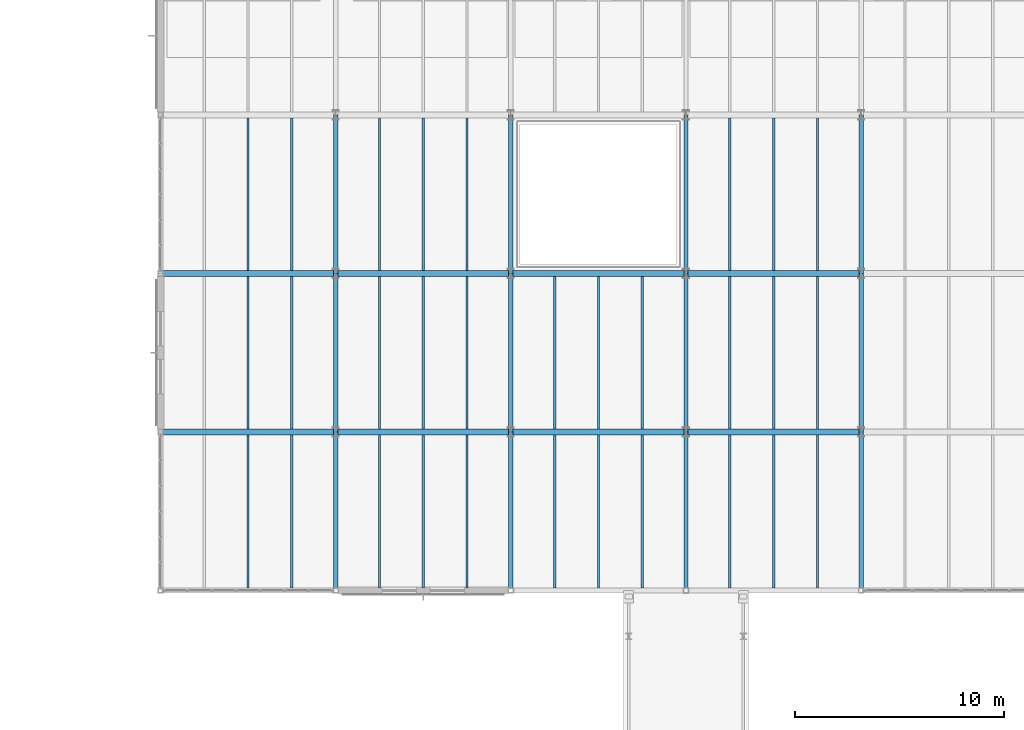
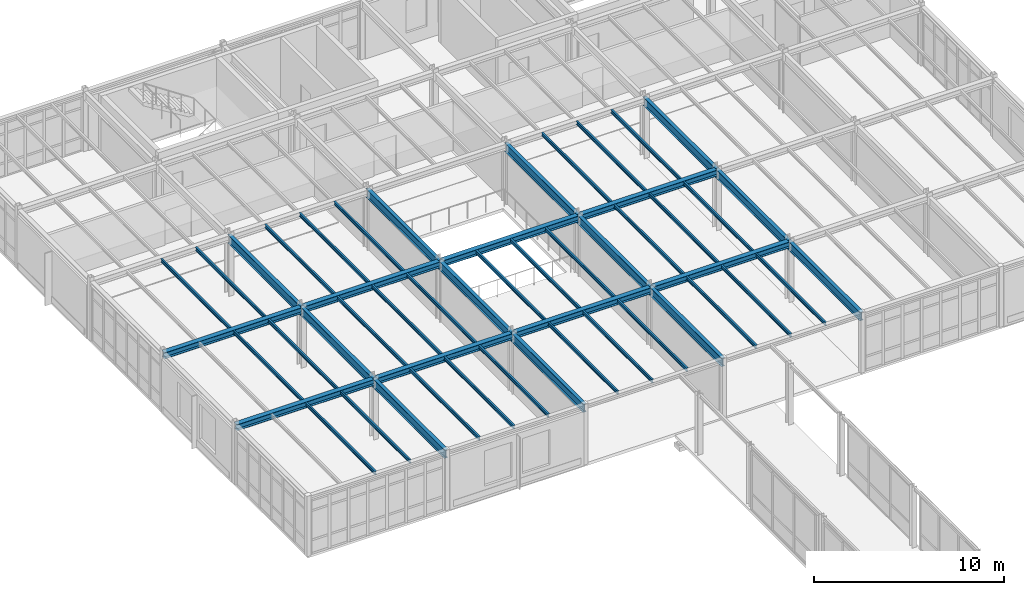
# One storey, part 93 of 189: 50 beams.
"""IFC4 building model written with IfcOpenShell, lengths in metres."""

from ifc_helpers import new_model, si_unit, direction, frame, origin, origin_2d, place, context, subcontext, project, spatial, i_section, extrude, material, material_profile, profile_set, type_object, element, save


model = new_model("IFC4")

# Units and contexts
model_context = context("Model", 3, precision=1e-05, world=origin(), true_north=direction((0.0, 1.0)))
body_context = subcontext(model_context, "Body", "Model", "MODEL_VIEW")
ifc_project = project(units=[si_unit("LENGTHUNIT", "METRE"), si_unit("AREAUNIT", "SQUARE_METRE"), si_unit("VOLUMEUNIT", "CUBIC_METRE"), si_unit("PLANEANGLEUNIT", "RADIAN"), si_unit("MASSUNIT", "GRAM", prefix="KILO")], contexts=[model_context])

# Site, building, storey
site_placement = place(None, origin())
site = spatial("IfcSite", under=ifc_project, at=site_placement, CompositionType="ELEMENT")
building_placement = place(site_placement, origin())
building = spatial("IfcBuilding", under=site, at=building_placement, Name="Montecoro Central Library", CompositionType="ELEMENT")
storey_placement = place(building_placement, frame((0.0, 0.0, 9.179931640625)))
storey = spatial("IfcBuildingStorey", under=building, at=storey_placement, Name="L02", CompositionType="ELEMENT", Elevation=9.179931640625)

# Beams
ifc_material_1 = material(Name="Steel S355", Category="steel")
ifc_material_profile_1 = material_profile(ifc_material_1, i_section(OverallWidth=0.300048828125, OverallDepth=0.389892578125, WebThickness=0.010986328125, FlangeThickness=0.01904296875, at=origin_2d()), Name="HEA 400")
ifc_profile_set_1 = profile_set([ifc_material_profile_1], Name="Steel S355")
beam_type_1 = type_object("IfcBeamType", Name="BM-G-HEA400", PredefinedType="USERDEFINED", material=ifc_profile_set_1)
beam_1_placement = place(storey_placement, frame((66.405029296875, 88.60009765625, 3.630126953125), z_axis=(1.0, 0.0, 0.0), x_axis=(0.0, 1.0, 0.0)))
element("IfcBeam", 1, at=beam_1_placement, inside=storey, type_object=beam_type_1, Name="V2-L02-BX-910-M", ObjectType="GIRDER", PredefinedType="USERDEFINED", context=body_context, shape_type="SweptSolid", body=[
    extrude(i_section(OverallWidth=0.300048828125, OverallDepth=0.389892578125, WebThickness=0.010986328125, FlangeThickness=0.01904296875, at=origin_2d()), origin(), (0.0, 0.0, 1.0), 8.389892578125),
])
beam_2_placement = place(storey_placement, frame((74.804931640625, 88.60009765625, 3.630126953125), z_axis=(1.0, 0.0, 0.0), x_axis=(0.0, 1.0, 0.0)))
element("IfcBeam", 2, at=beam_2_placement, inside=storey, type_object=beam_type_1, Name="V2-L02-BX-1011-M", ObjectType="GIRDER", PredefinedType="USERDEFINED", context=body_context, shape_type="SweptSolid", body=[
    extrude(i_section(OverallWidth=0.300048828125, OverallDepth=0.389892578125, WebThickness=0.010986328125, FlangeThickness=0.01904296875, at=origin_2d()), origin(), (0.0, 0.0, 1.0), 8.39013671875),
])
beam_3_placement = place(storey_placement, frame((83.205078125, 88.60009765625, 3.630126953125), z_axis=(1.0, 0.0, 0.0), x_axis=(0.0, 1.0, 0.0)))
element("IfcBeam", 3, at=beam_3_placement, inside=storey, type_object=beam_type_1, Name="V2-L02-BX-1112-M", ObjectType="GIRDER", PredefinedType="USERDEFINED", context=body_context, shape_type="SweptSolid", body=[
    extrude(i_section(OverallWidth=0.300048828125, OverallDepth=0.389892578125, WebThickness=0.010986328125, FlangeThickness=0.01904296875, at=origin_2d()), origin(), (0.0, 0.0, 1.0), 8.389892578125),
])
beam_4_placement = place(storey_placement, frame((91.60498046875, 88.60009765625, 3.630126953125), z_axis=(1.0, 0.0, 0.0), x_axis=(0.0, 1.0, 0.0)))
element("IfcBeam", 4, at=beam_4_placement, inside=storey, type_object=beam_type_1, Name="V2-L02-BX-1213-M", ObjectType="GIRDER", PredefinedType="USERDEFINED", context=body_context, shape_type="SweptSolid", body=[
    extrude(i_section(OverallWidth=0.300048828125, OverallDepth=0.389892578125, WebThickness=0.010986328125, FlangeThickness=0.01904296875, at=origin_2d()), origin(), (0.0, 0.0, 1.0), 8.39013671875),
])
beam_5_placement = place(storey_placement, frame((66.405029296875, 96.199951171875, 3.630126953125), z_axis=(1.0, 0.0, 0.0), x_axis=(0.0, 1.0, 0.0)))
element("IfcBeam", 5, at=beam_5_placement, inside=storey, type_object=beam_type_1, Name="V2-L02-BX-910-N", ObjectType="GIRDER", PredefinedType="USERDEFINED", context=body_context, shape_type="SweptSolid", body=[
    extrude(i_section(OverallWidth=0.300048828125, OverallDepth=0.389892578125, WebThickness=0.010986328125, FlangeThickness=0.01904296875, at=origin_2d()), origin(), (0.0, 0.0, 1.0), 8.389892578125),
])
beam_6_placement = place(storey_placement, frame((74.804931640625, 96.199951171875, 3.630126953125), z_axis=(1.0, 0.0, 0.0), x_axis=(0.0, 1.0, 0.0)))
element("IfcBeam", 6, at=beam_6_placement, inside=storey, type_object=beam_type_1, Name="V2-L02-BX-1011-N", ObjectType="GIRDER", PredefinedType="USERDEFINED", context=body_context, shape_type="SweptSolid", body=[
    extrude(i_section(OverallWidth=0.300048828125, OverallDepth=0.389892578125, WebThickness=0.010986328125, FlangeThickness=0.01904296875, at=origin_2d()), origin(), (0.0, 0.0, 1.0), 8.39013671875),
])
beam_7_placement = place(storey_placement, frame((83.205078125, 96.199951171875, 3.630126953125), z_axis=(1.0, 0.0, 0.0), x_axis=(0.0, 1.0, 0.0)))
element("IfcBeam", 7, at=beam_7_placement, inside=storey, type_object=beam_type_1, Name="V2-L02-BX-1112-N", ObjectType="GIRDER", PredefinedType="USERDEFINED", context=body_context, shape_type="SweptSolid", body=[
    extrude(i_section(OverallWidth=0.300048828125, OverallDepth=0.389892578125, WebThickness=0.010986328125, FlangeThickness=0.01904296875, at=origin_2d()), origin(), (0.0, 0.0, 1.0), 8.389892578125),
])
beam_8_placement = place(storey_placement, frame((91.60498046875, 96.199951171875, 3.630126953125), z_axis=(1.0, 0.0, 0.0), x_axis=(0.0, 1.0, 0.0)))
element("IfcBeam", 8, at=beam_8_placement, inside=storey, type_object=beam_type_1, Name="V2-L02-BX-1213-N", ObjectType="GIRDER", PredefinedType="USERDEFINED", context=body_context, shape_type="SweptSolid", body=[
    extrude(i_section(OverallWidth=0.300048828125, OverallDepth=0.389892578125, WebThickness=0.010986328125, FlangeThickness=0.01904296875, at=origin_2d()), origin(), (0.0, 0.0, 1.0), 8.39013671875),
])
ifc_material_2 = material(Name="Steel S355J2", Category="steel")
ifc_material_profile_2 = material_profile(ifc_material_2, i_section(OverallWidth=0.2099609375, OverallDepth=0.550048828125, WebThickness=0.010986328125, FlangeThickness=0.01708984375, at=origin_2d()), Name="IPE 550")
ifc_profile_set_2 = profile_set([ifc_material_profile_2], Name="Steel S355J2")
beam_type_2 = type_object("IfcBeamType", Name="BM-G-IPE550", PredefinedType="USERDEFINED", material=ifc_profile_set_2)
for number, where, z_axis, x_axis, name in (
    (9, (74.800048828125, 81.0048828125, 3.550048828125), (0.0, 1.0, 0.0), (-1.0, 0.0, 0.0), "V2-L02-BY-10-LM"),
    (10, (74.800048828125, 88.60498046875, 3.550048828125), (0.0, 1.0, 0.0), (-1.0, 0.0, 0.0), "V2-L02-BY-10-MN"),
):
    element("IfcBeam", number, at=place(storey_placement, frame(where, z_axis=z_axis, x_axis=x_axis)), inside=storey, type_object=beam_type_2, Name=name, ObjectType="GIRDER", PredefinedType="USERDEFINED", context=body_context, shape_type="SweptSolid", body=[
        extrude(i_section(OverallWidth=0.2099609375, OverallDepth=0.550048828125, WebThickness=0.010986328125, FlangeThickness=0.01708984375, at=origin_2d()), origin(), (0.0, 0.0, 1.0), 7.590087890625),
    ])
beam_9_placement = place(storey_placement, frame((74.800048828125, 96.205078125, 3.550048828125), z_axis=(0.0, 1.0, 0.0), x_axis=(-1.0, 0.0, 0.0)))
element("IfcBeam", 11, at=beam_9_placement, inside=storey, type_object=beam_type_2, Name="V2-L02-BY-10-NP", ObjectType="GIRDER", PredefinedType="USERDEFINED", context=body_context, shape_type="SweptSolid", body=[
    extrude(i_section(OverallWidth=0.2099609375, OverallDepth=0.550048828125, WebThickness=0.010986328125, FlangeThickness=0.01708984375, at=origin_2d()), origin(), (0.0, 0.0, 1.0), 7.58984375),
])
for number, where, z_axis, x_axis, name in (
    (12, (83.199951171875, 81.0048828125, 3.550048828125), (0.0, 1.0, 0.0), (-1.0, 0.0, 0.0), "V2-L02-BY-11-LM"),
    (13, (83.199951171875, 88.60498046875, 3.550048828125), (0.0, 1.0, 0.0), (-1.0, 0.0, 0.0), "V2-L02-BY-11-MN"),
):
    element("IfcBeam", number, at=place(storey_placement, frame(where, z_axis=z_axis, x_axis=x_axis)), inside=storey, type_object=beam_type_2, Name=name, ObjectType="GIRDER", PredefinedType="USERDEFINED", context=body_context, shape_type="SweptSolid", body=[
        extrude(i_section(OverallWidth=0.2099609375, OverallDepth=0.550048828125, WebThickness=0.010986328125, FlangeThickness=0.01708984375, at=origin_2d()), origin(), (0.0, 0.0, 1.0), 7.590087890625),
    ])
beam_10_placement = place(storey_placement, frame((83.199951171875, 96.205078125, 3.550048828125), z_axis=(0.0, 1.0, 0.0), x_axis=(-1.0, 0.0, 0.0)))
element("IfcBeam", 14, at=beam_10_placement, inside=storey, type_object=beam_type_2, Name="V2-L02-BY-11-NP", ObjectType="GIRDER", PredefinedType="USERDEFINED", context=body_context, shape_type="SweptSolid", body=[
    extrude(i_section(OverallWidth=0.2099609375, OverallDepth=0.550048828125, WebThickness=0.010986328125, FlangeThickness=0.01708984375, at=origin_2d()), origin(), (0.0, 0.0, 1.0), 7.58984375),
])
for number, where, z_axis, x_axis, name in (
    (15, (91.60009765625, 81.0048828125, 3.550048828125), (0.0, 1.0, 0.0), (-1.0, 0.0, 0.0), "V2-L02-BY-12-LM"),
    (16, (91.60009765625, 88.60498046875, 3.550048828125), (0.0, 1.0, 0.0), (-1.0, 0.0, 0.0), "V2-L02-BY-12-MN"),
):
    element("IfcBeam", number, at=place(storey_placement, frame(where, z_axis=z_axis, x_axis=x_axis)), inside=storey, type_object=beam_type_2, Name=name, ObjectType="GIRDER", PredefinedType="USERDEFINED", context=body_context, shape_type="SweptSolid", body=[
        extrude(i_section(OverallWidth=0.2099609375, OverallDepth=0.550048828125, WebThickness=0.010986328125, FlangeThickness=0.01708984375, at=origin_2d()), origin(), (0.0, 0.0, 1.0), 7.590087890625),
    ])
beam_11_placement = place(storey_placement, frame((91.60009765625, 96.205078125, 3.550048828125), z_axis=(0.0, 1.0, 0.0), x_axis=(-1.0, 0.0, 0.0)))
element("IfcBeam", 17, at=beam_11_placement, inside=storey, type_object=beam_type_2, Name="V2-L02-BY-12-NP", ObjectType="GIRDER", PredefinedType="USERDEFINED", context=body_context, shape_type="SweptSolid", body=[
    extrude(i_section(OverallWidth=0.2099609375, OverallDepth=0.550048828125, WebThickness=0.010986328125, FlangeThickness=0.01708984375, at=origin_2d()), origin(), (0.0, 0.0, 1.0), 7.58984375),
])
for number, where, z_axis, x_axis, name in (
    (18, (100.0, 81.0048828125, 3.550048828125), (0.0, 1.0, 0.0), (-1.0, 0.0, 0.0), "V2-L02-BY-13-LM"),
    (19, (100.0, 88.60498046875, 3.550048828125), (0.0, 1.0, 0.0), (-1.0, 0.0, 0.0), "V2-L02-BY-13-MN"),
):
    element("IfcBeam", number, at=place(storey_placement, frame(where, z_axis=z_axis, x_axis=x_axis)), inside=storey, type_object=beam_type_2, Name=name, ObjectType="GIRDER", PredefinedType="USERDEFINED", context=body_context, shape_type="SweptSolid", body=[
        extrude(i_section(OverallWidth=0.2099609375, OverallDepth=0.550048828125, WebThickness=0.010986328125, FlangeThickness=0.01708984375, at=origin_2d()), origin(), (0.0, 0.0, 1.0), 7.590087890625),
    ])
beam_12_placement = place(storey_placement, frame((100.0, 96.205078125, 3.550048828125), z_axis=(0.0, 1.0, 0.0), x_axis=(-1.0, 0.0, 0.0)))
element("IfcBeam", 20, at=beam_12_placement, inside=storey, type_object=beam_type_2, Name="V2-L02-BY-13-NP", ObjectType="GIRDER", PredefinedType="USERDEFINED", context=body_context, shape_type="SweptSolid", body=[
    extrude(i_section(OverallWidth=0.2099609375, OverallDepth=0.550048828125, WebThickness=0.010986328125, FlangeThickness=0.01708984375, at=origin_2d()), origin(), (0.0, 0.0, 1.0), 7.58984375),
])
ifc_material_profile_3 = material_profile(ifc_material_1, i_section(OverallWidth=0.110107421875, OverallDepth=0.219970703125, WebThickness=0.005859375, FlangeThickness=0.00927734375, at=origin_2d()), Name="IPE 220")
ifc_profile_set_3 = profile_set([ifc_material_profile_3], Name="Steel S355")
beam_type_3 = type_object("IfcBeamType", Name="BM-J-IPE220", PredefinedType="JOIST", material=ifc_profile_set_3)
for number, where, z_axis, x_axis, name in (
    (21, (70.60009765625, 81.126953125, 3.715087890625), (0.0, 1.0, 0.0), (-1.0, 0.0, 0.0), "V2-L02-JS-910-LM-2"),
    (22, (72.699951171875, 81.126953125, 3.715087890625), (0.0, 1.0, 0.0), (-1.0, 0.0, 0.0), "V2-L02-JS-910-LM-3"),
):
    element("IfcBeam", number, at=place(storey_placement, frame(where, z_axis=z_axis, x_axis=x_axis)), inside=storey, type_object=beam_type_3, Name=name, PredefinedType="JOIST", context=body_context, shape_type="SweptSolid", body=[
        extrude(i_section(OverallWidth=0.110107421875, OverallDepth=0.219970703125, WebThickness=0.005859375, FlangeThickness=0.00927734375, at=origin_2d()), origin(), (0.0, 0.0, 1.0), 7.325927734375),
    ])
for number, where, z_axis, x_axis, name in (
    (23, (70.60009765625, 88.7470703125, 3.715087890625), (0.0, 1.0, 0.0), (-1.0, 0.0, 0.0), "V2-L02-JS-910-MN-2"),
    (24, (72.699951171875, 88.7470703125, 3.715087890625), (0.0, 1.0, 0.0), (-1.0, 0.0, 0.0), "V2-L02-JS-910-MN-3"),
):
    element("IfcBeam", number, at=place(storey_placement, frame(where, z_axis=z_axis, x_axis=x_axis)), inside=storey, type_object=beam_type_3, Name=name, PredefinedType="JOIST", context=body_context, shape_type="SweptSolid", body=[
        extrude(i_section(OverallWidth=0.110107421875, OverallDepth=0.219970703125, WebThickness=0.005859375, FlangeThickness=0.00927734375, at=origin_2d()), origin(), (0.0, 0.0, 1.0), 7.305908203125),
    ])
for number, where, z_axis, x_axis, name in (
    (25, (70.60009765625, 96.346923828125, 3.715087890625), (0.0, 1.0, 0.0), (-1.0, 0.0, 0.0), "V2-L02-JS-910-NP-2"),
    (26, (72.699951171875, 96.346923828125, 3.715087890625), (0.0, 1.0, 0.0), (-1.0, 0.0, 0.0), "V2-L02-JS-910-NP-3"),
):
    element("IfcBeam", number, at=place(storey_placement, frame(where, z_axis=z_axis, x_axis=x_axis)), inside=storey, type_object=beam_type_3, Name=name, PredefinedType="JOIST", context=body_context, shape_type="SweptSolid", body=[
        extrude(i_section(OverallWidth=0.110107421875, OverallDepth=0.219970703125, WebThickness=0.005859375, FlangeThickness=0.00927734375, at=origin_2d()), origin(), (0.0, 0.0, 1.0), 7.30615234375),
    ])
for number, where, z_axis, x_axis, name in (
    (27, (76.89990234375, 81.126953125, 3.715087890625), (0.0, 1.0, 0.0), (-1.0, 0.0, 0.0), "V2-L02-JS-1011-LM-1"),
    (28, (79.0, 81.126953125, 3.715087890625), (0.0, 1.0, 0.0), (-1.0, 0.0, 0.0), "V2-L02-JS-1011-LM-2"),
    (29, (81.10009765625, 81.126953125, 3.715087890625), (0.0, 1.0, 0.0), (-1.0, 0.0, 0.0), "V2-L02-JS-1011-LM-3"),
):
    element("IfcBeam", number, at=place(storey_placement, frame(where, z_axis=z_axis, x_axis=x_axis)), inside=storey, type_object=beam_type_3, Name=name, PredefinedType="JOIST", context=body_context, shape_type="SweptSolid", body=[
        extrude(i_section(OverallWidth=0.110107421875, OverallDepth=0.219970703125, WebThickness=0.005859375, FlangeThickness=0.00927734375, at=origin_2d()), origin(), (0.0, 0.0, 1.0), 7.325927734375),
    ])
for number, where, z_axis, x_axis, name in (
    (30, (76.89990234375, 88.7470703125, 3.715087890625), (0.0, 1.0, 0.0), (-1.0, 0.0, 0.0), "V2-L02-JS-1011-MN-1"),
    (31, (79.0, 88.7470703125, 3.715087890625), (0.0, 1.0, 0.0), (-1.0, 0.0, 0.0), "V2-L02-JS-1011-MN-2"),
    (32, (81.10009765625, 88.7470703125, 3.715087890625), (0.0, 1.0, 0.0), (-1.0, 0.0, 0.0), "V2-L02-JS-1011-MN-3"),
):
    element("IfcBeam", number, at=place(storey_placement, frame(where, z_axis=z_axis, x_axis=x_axis)), inside=storey, type_object=beam_type_3, Name=name, PredefinedType="JOIST", context=body_context, shape_type="SweptSolid", body=[
        extrude(i_section(OverallWidth=0.110107421875, OverallDepth=0.219970703125, WebThickness=0.005859375, FlangeThickness=0.00927734375, at=origin_2d()), origin(), (0.0, 0.0, 1.0), 7.305908203125),
    ])
for number, where, z_axis, x_axis, name in (
    (33, (76.89990234375, 96.346923828125, 3.715087890625), (0.0, 1.0, 0.0), (-1.0, 0.0, 0.0), "V2-L02-JS-1011-NP-1"),
    (34, (79.0, 96.346923828125, 3.715087890625), (0.0, 1.0, 0.0), (-1.0, 0.0, 0.0), "V2-L02-JS-1011-NP-2"),
    (35, (81.10009765625, 96.346923828125, 3.715087890625), (0.0, 1.0, 0.0), (-1.0, 0.0, 0.0), "V2-L02-JS-1011-NP-3"),
):
    element("IfcBeam", number, at=place(storey_placement, frame(where, z_axis=z_axis, x_axis=x_axis)), inside=storey, type_object=beam_type_3, Name=name, PredefinedType="JOIST", context=body_context, shape_type="SweptSolid", body=[
        extrude(i_section(OverallWidth=0.110107421875, OverallDepth=0.219970703125, WebThickness=0.005859375, FlangeThickness=0.00927734375, at=origin_2d()), origin(), (0.0, 0.0, 1.0), 7.30615234375),
    ])
for number, where, z_axis, x_axis, name in (
    (36, (85.300048828125, 81.126953125, 3.715087890625), (0.0, 1.0, 0.0), (-1.0, 0.0, 0.0), "V2-L02-JS-1112-LM-1"),
    (37, (87.39990234375, 81.126953125, 3.715087890625), (0.0, 1.0, 0.0), (-1.0, 0.0, 0.0), "V2-L02-JS-1112-LM-2"),
    (38, (89.5, 81.126953125, 3.715087890625), (0.0, 1.0, 0.0), (-1.0, 0.0, 0.0), "V2-L02-JS-1112-LM-3"),
):
    element("IfcBeam", number, at=place(storey_placement, frame(where, z_axis=z_axis, x_axis=x_axis)), inside=storey, type_object=beam_type_3, Name=name, PredefinedType="JOIST", context=body_context, shape_type="SweptSolid", body=[
        extrude(i_section(OverallWidth=0.110107421875, OverallDepth=0.219970703125, WebThickness=0.005859375, FlangeThickness=0.00927734375, at=origin_2d()), origin(), (0.0, 0.0, 1.0), 7.325927734375),
    ])
for number, where, z_axis, x_axis, name in (
    (39, (85.300048828125, 88.7470703125, 3.715087890625), (0.0, 1.0, 0.0), (-1.0, 0.0, 0.0), "V2-L02-JS-1112-MN-1"),
    (40, (87.39990234375, 88.7470703125, 3.715087890625), (0.0, 1.0, 0.0), (-1.0, 0.0, 0.0), "V2-L02-JS-1112-MN-2"),
    (41, (89.5, 88.7470703125, 3.715087890625), (0.0, 1.0, 0.0), (-1.0, 0.0, 0.0), "V2-L02-JS-1112-MN-3"),
):
    element("IfcBeam", number, at=place(storey_placement, frame(where, z_axis=z_axis, x_axis=x_axis)), inside=storey, type_object=beam_type_3, Name=name, PredefinedType="JOIST", context=body_context, shape_type="SweptSolid", body=[
        extrude(i_section(OverallWidth=0.110107421875, OverallDepth=0.219970703125, WebThickness=0.005859375, FlangeThickness=0.00927734375, at=origin_2d()), origin(), (0.0, 0.0, 1.0), 7.305908203125),
    ])
for number, where, z_axis, x_axis, name in (
    (42, (93.699951171875, 81.126953125, 3.715087890625), (0.0, 1.0, 0.0), (-1.0, 0.0, 0.0), "V2-L02-JS-1213-LM-1"),
    (43, (95.800048828125, 81.126953125, 3.715087890625), (0.0, 1.0, 0.0), (-1.0, 0.0, 0.0), "V2-L02-JS-1213-LM-2"),
    (44, (97.89990234375, 81.126953125, 3.715087890625), (0.0, 1.0, 0.0), (-1.0, 0.0, 0.0), "V2-L02-JS-1213-LM-3"),
):
    element("IfcBeam", number, at=place(storey_placement, frame(where, z_axis=z_axis, x_axis=x_axis)), inside=storey, type_object=beam_type_3, Name=name, PredefinedType="JOIST", context=body_context, shape_type="SweptSolid", body=[
        extrude(i_section(OverallWidth=0.110107421875, OverallDepth=0.219970703125, WebThickness=0.005859375, FlangeThickness=0.00927734375, at=origin_2d()), origin(), (0.0, 0.0, 1.0), 7.325927734375),
    ])
for number, where, z_axis, x_axis, name in (
    (45, (93.699951171875, 88.7470703125, 3.715087890625), (0.0, 1.0, 0.0), (-1.0, 0.0, 0.0), "V2-L02-JS-1213-MN-1"),
    (46, (95.800048828125, 88.7470703125, 3.715087890625), (0.0, 1.0, 0.0), (-1.0, 0.0, 0.0), "V2-L02-JS-1213-MN-2"),
    (47, (97.89990234375, 88.7470703125, 3.715087890625), (0.0, 1.0, 0.0), (-1.0, 0.0, 0.0), "V2-L02-JS-1213-MN-3"),
):
    element("IfcBeam", number, at=place(storey_placement, frame(where, z_axis=z_axis, x_axis=x_axis)), inside=storey, type_object=beam_type_3, Name=name, PredefinedType="JOIST", context=body_context, shape_type="SweptSolid", body=[
        extrude(i_section(OverallWidth=0.110107421875, OverallDepth=0.219970703125, WebThickness=0.005859375, FlangeThickness=0.00927734375, at=origin_2d()), origin(), (0.0, 0.0, 1.0), 7.305908203125),
    ])
for number, where, z_axis, x_axis, name in (
    (48, (93.699951171875, 96.346923828125, 3.715087890625), (0.0, 1.0, 0.0), (-1.0, 0.0, 0.0), "V2-L02-JS-1213-NP-1"),
    (49, (95.800048828125, 96.346923828125, 3.715087890625), (0.0, 1.0, 0.0), (-1.0, 0.0, 0.0), "V2-L02-JS-1213-NP-2"),
    (50, (97.89990234375, 96.346923828125, 3.715087890625), (0.0, 1.0, 0.0), (-1.0, 0.0, 0.0), "V2-L02-JS-1213-NP-3"),
):
    element("IfcBeam", number, at=place(storey_placement, frame(where, z_axis=z_axis, x_axis=x_axis)), inside=storey, type_object=beam_type_3, Name=name, PredefinedType="JOIST", context=body_context, shape_type="SweptSolid", body=[
        extrude(i_section(OverallWidth=0.110107421875, OverallDepth=0.219970703125, WebThickness=0.005859375, FlangeThickness=0.00927734375, at=origin_2d()), origin(), (0.0, 0.0, 1.0), 7.30615234375),
    ])

save(model, "model.ifc")
